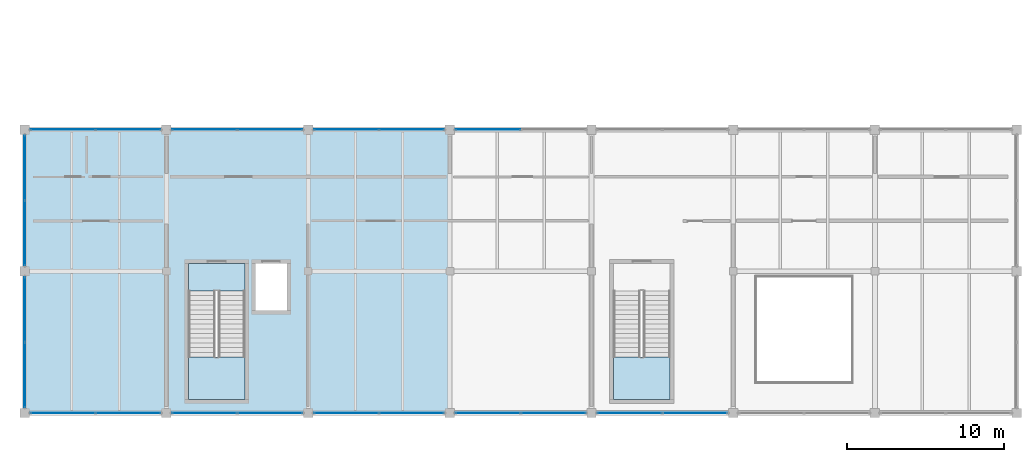
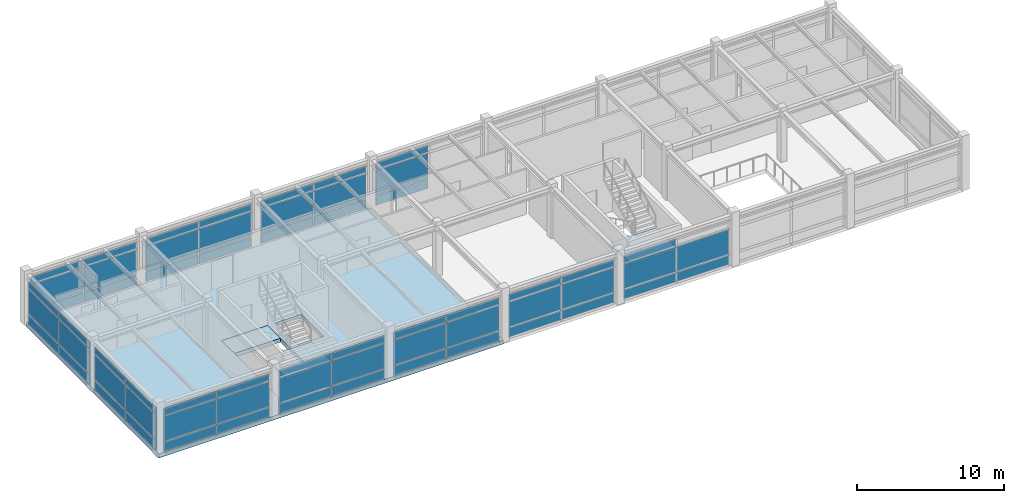
# One storey, part 21 of 33: 62 plates, 4 slabs, 13 elements without a shape of their own.
"""IFC4 building model written with IfcOpenShell, lengths in metres."""

from ifc_helpers import new_model, si_unit, direction, frame, origin, origin_2d, place, context, subcontext, project, spatial, polyline, rectangle, outline, extrude, material, layer, layer_set, type_object, element, aggregate, save


model = new_model("IFC4")

# Units and contexts
model_context = context("Model", 3, precision=1e-05, world=origin(), true_north=direction((0.0, 1.0)))
body_context = subcontext(model_context, "Body", "Model", "MODEL_VIEW")
ifc_project = project(units=[si_unit("LENGTHUNIT", "METRE"), si_unit("AREAUNIT", "SQUARE_METRE"), si_unit("VOLUMEUNIT", "CUBIC_METRE"), si_unit("PLANEANGLEUNIT", "RADIAN"), si_unit("MASSUNIT", "GRAM", prefix="KILO")], contexts=[model_context])

# Site, building, storey
site_placement = place(None, origin())
site = spatial("IfcSite", under=ifc_project, at=site_placement, CompositionType="ELEMENT")
building_placement = place(site_placement, origin())
building = spatial("IfcBuilding", under=site, at=building_placement, Name="Bozkorgan Art Gallery", CompositionType="ELEMENT")
storey_placement = place(building_placement, frame((0.0, 0.0, 19.5)))
storey = spatial("IfcBuildingStorey", under=building, at=storey_placement, Name="L04", CompositionType="ELEMENT", Elevation=19.5)

# Curtain wall, plates
ifc_material_1 = material(Name="Anodised Bronze Aluminium", Category="aluminium")
curtain_wall_type = type_object("IfcCurtainWallType", Name="CW-CW-71", PredefinedType="NOTDEFINED", material=ifc_material_1)
curtain_wall_1_placement = place(storey_placement, origin())
curtain_wall_1 = element("IfcCurtainWall", 1, at=curtain_wall_1_placement, inside=storey, type_object=curtain_wall_type, Name="L04 unitised curtain wall CW-V1-L04-1S-01", PredefinedType="NOTDEFINED")
ifc_material_2 = material(Name="Triple Low-E Laminated Glass", Category="glass")
ifc_layer_1 = layer(ifc_material_2, 0.0439453125, Name="Triple Low-E Laminated Glass")
ifc_layer_set_1 = layer_set([ifc_layer_1], Name="Triple Low-E Laminated Glass")
plate_type = type_object("IfcPlateType", Name="CWP-GLZ", PredefinedType="CURTAIN_PANEL", material=ifc_layer_set_1)
plate_1_placement = place(storey_placement, frame((4.423828125, 2.0, 0.10009765625), z_axis=(0.0, 0.0, 1.0), x_axis=(1.0, 0.0, 0.0)))
plate_1 = element("IfcPlate", 2, at=plate_1_placement, type_object=plate_type, Name="CW-71 panel 1.1", PredefinedType="CURTAIN_PANEL", context=body_context, shape_type="SweptSolid", body=[
    extrude(rectangle(XDim=4.08740234375, YDim=0.0439453125, at=origin_2d()), origin(), (0.0, 0.0, 1.0), 0.780029296875),
])
plate_2_placement = place(storey_placement, frame((4.423828125, 2.0, 0.9599609375), z_axis=(0.0, 0.0, 1.0), x_axis=(1.0, 0.0, 0.0)))
plate_2 = element("IfcPlate", 3, at=plate_2_placement, type_object=plate_type, Name="CW-71 panel 1.2", PredefinedType="CURTAIN_PANEL", context=body_context, shape_type="SweptSolid", body=[
    extrude(rectangle(XDim=4.08740234375, YDim=0.0439453125, at=origin_2d()), origin(), (0.0, 0.0, 1.0), 2.06494140625),
])
plate_3_placement = place(storey_placement, frame((4.423828125, 2.0, 3.10498046875), z_axis=(0.0, 0.0, 1.0), x_axis=(1.0, 0.0, 0.0)))
plate_3 = element("IfcPlate", 4, at=plate_3_placement, type_object=plate_type, Name="CW-71 panel 1.3", PredefinedType="CURTAIN_PANEL", context=body_context, shape_type="SweptSolid", body=[
    extrude(rectangle(XDim=4.08740234375, YDim=0.0439453125, at=origin_2d()), origin(), (0.0, 0.0, 1.0), 0.530029296875),
])
plate_4_placement = place(storey_placement, frame((8.576171875, 2.0, 0.10009765625), z_axis=(0.0, 0.0, 1.0), x_axis=(1.0, 0.0, 0.0)))
plate_4 = element("IfcPlate", 5, at=plate_4_placement, type_object=plate_type, Name="CW-71 panel 2.1", PredefinedType="CURTAIN_PANEL", context=body_context, shape_type="SweptSolid", body=[
    extrude(rectangle(XDim=4.08740234375, YDim=0.0439453125, at=origin_2d()), origin(), (0.0, 0.0, 1.0), 0.780029296875),
])
plate_5_placement = place(storey_placement, frame((8.576171875, 2.0, 0.9599609375), z_axis=(0.0, 0.0, 1.0), x_axis=(1.0, 0.0, 0.0)))
plate_5 = element("IfcPlate", 6, at=plate_5_placement, type_object=plate_type, Name="CW-71 panel 2.2", PredefinedType="CURTAIN_PANEL", context=body_context, shape_type="SweptSolid", body=[
    extrude(rectangle(XDim=4.08740234375, YDim=0.0439453125, at=origin_2d()), origin(), (0.0, 0.0, 1.0), 2.06494140625),
])
plate_6_placement = place(storey_placement, frame((8.576171875, 2.0, 3.10498046875), z_axis=(0.0, 0.0, 1.0), x_axis=(1.0, 0.0, 0.0)))
plate_6 = element("IfcPlate", 7, at=plate_6_placement, type_object=plate_type, Name="CW-71 panel 2.3", PredefinedType="CURTAIN_PANEL", context=body_context, shape_type="SweptSolid", body=[
    extrude(rectangle(XDim=4.08740234375, YDim=0.0439453125, at=origin_2d()), origin(), (0.0, 0.0, 1.0), 0.530029296875),
])
aggregate(curtain_wall_1, [plate_1, plate_2, plate_3, plate_4, plate_5, plate_6])

curtain_wall_2_placement = place(storey_placement, origin())
curtain_wall_2 = element("IfcCurtainWall", 8, at=curtain_wall_2_placement, inside=storey, type_object=curtain_wall_type, Name="L04 unitised curtain wall CW-V1-L04-1N-02", PredefinedType="NOTDEFINED")
plate_7_placement = place(storey_placement, frame((4.423828125, 20.0, 0.10009765625), z_axis=(0.0, 0.0, 1.0), x_axis=(1.0, 0.0, 0.0)))
plate_7 = element("IfcPlate", 9, at=plate_7_placement, type_object=plate_type, Name="CW-71 panel 1.1", PredefinedType="CURTAIN_PANEL", context=body_context, shape_type="SweptSolid", body=[
    extrude(rectangle(XDim=4.08740234375, YDim=0.0439453125, at=origin_2d()), origin(), (0.0, 0.0, 1.0), 0.780029296875),
])
plate_8_placement = place(storey_placement, frame((4.423828125, 20.0, 0.9599609375), z_axis=(0.0, 0.0, 1.0), x_axis=(1.0, 0.0, 0.0)))
plate_8 = element("IfcPlate", 10, at=plate_8_placement, type_object=plate_type, Name="CW-71 panel 1.2", PredefinedType="CURTAIN_PANEL", context=body_context, shape_type="SweptSolid", body=[
    extrude(rectangle(XDim=4.08740234375, YDim=0.0439453125, at=origin_2d()), origin(), (0.0, 0.0, 1.0), 2.06494140625),
])
plate_9_placement = place(storey_placement, frame((4.423828125, 20.0, 3.10498046875), z_axis=(0.0, 0.0, 1.0), x_axis=(1.0, 0.0, 0.0)))
plate_9 = element("IfcPlate", 11, at=plate_9_placement, type_object=plate_type, Name="CW-71 panel 1.3", PredefinedType="CURTAIN_PANEL", context=body_context, shape_type="SweptSolid", body=[
    extrude(rectangle(XDim=4.08740234375, YDim=0.0439453125, at=origin_2d()), origin(), (0.0, 0.0, 1.0), 0.530029296875),
])
plate_10_placement = place(storey_placement, frame((8.576171875, 20.0, 0.10009765625), z_axis=(0.0, 0.0, 1.0), x_axis=(1.0, 0.0, 0.0)))
plate_10 = element("IfcPlate", 12, at=plate_10_placement, type_object=plate_type, Name="CW-71 panel 2.1", PredefinedType="CURTAIN_PANEL", context=body_context, shape_type="SweptSolid", body=[
    extrude(rectangle(XDim=4.08740234375, YDim=0.0439453125, at=origin_2d()), origin(), (0.0, 0.0, 1.0), 0.780029296875),
])
plate_11_placement = place(storey_placement, frame((8.576171875, 20.0, 0.9599609375), z_axis=(0.0, 0.0, 1.0), x_axis=(1.0, 0.0, 0.0)))
plate_11 = element("IfcPlate", 13, at=plate_11_placement, type_object=plate_type, Name="CW-71 panel 2.2", PredefinedType="CURTAIN_PANEL", context=body_context, shape_type="SweptSolid", body=[
    extrude(rectangle(XDim=4.08740234375, YDim=0.0439453125, at=origin_2d()), origin(), (0.0, 0.0, 1.0), 2.06494140625),
])
plate_12_placement = place(storey_placement, frame((8.576171875, 20.0, 3.10498046875), z_axis=(0.0, 0.0, 1.0), x_axis=(1.0, 0.0, 0.0)))
plate_12 = element("IfcPlate", 14, at=plate_12_placement, type_object=plate_type, Name="CW-71 panel 2.3", PredefinedType="CURTAIN_PANEL", context=body_context, shape_type="SweptSolid", body=[
    extrude(rectangle(XDim=4.08740234375, YDim=0.0439453125, at=origin_2d()), origin(), (0.0, 0.0, 1.0), 0.530029296875),
])
aggregate(curtain_wall_2, [plate_7, plate_8, plate_9, plate_10, plate_11, plate_12])

curtain_wall_3_placement = place(storey_placement, origin())
curtain_wall_3 = element("IfcCurtainWall", 15, at=curtain_wall_3_placement, inside=storey, type_object=curtain_wall_type, Name="L04 unitised curtain wall CW-V1-L04-1S-03", PredefinedType="NOTDEFINED")
plate_13_placement = place(storey_placement, frame((13.423828125, 2.0, 0.10009765625), z_axis=(0.0, 0.0, 1.0), x_axis=(1.0, 0.0, 0.0)))
plate_13 = element("IfcPlate", 16, at=plate_13_placement, type_object=plate_type, Name="CW-71 panel 1.1", PredefinedType="CURTAIN_PANEL", context=body_context, shape_type="SweptSolid", body=[
    extrude(rectangle(XDim=4.08740234375, YDim=0.0439453125, at=origin_2d()), origin(), (0.0, 0.0, 1.0), 0.780029296875),
])
plate_14_placement = place(storey_placement, frame((13.423828125, 2.0, 0.9599609375), z_axis=(0.0, 0.0, 1.0), x_axis=(1.0, 0.0, 0.0)))
plate_14 = element("IfcPlate", 17, at=plate_14_placement, type_object=plate_type, Name="CW-71 panel 1.2", PredefinedType="CURTAIN_PANEL", context=body_context, shape_type="SweptSolid", body=[
    extrude(rectangle(XDim=4.08740234375, YDim=0.0439453125, at=origin_2d()), origin(), (0.0, 0.0, 1.0), 2.06494140625),
])
plate_15_placement = place(storey_placement, frame((13.423828125, 2.0, 3.10498046875), z_axis=(0.0, 0.0, 1.0), x_axis=(1.0, 0.0, 0.0)))
plate_15 = element("IfcPlate", 18, at=plate_15_placement, type_object=plate_type, Name="CW-71 panel 1.3", PredefinedType="CURTAIN_PANEL", context=body_context, shape_type="SweptSolid", body=[
    extrude(rectangle(XDim=4.08740234375, YDim=0.0439453125, at=origin_2d()), origin(), (0.0, 0.0, 1.0), 0.530029296875),
])
plate_16_placement = place(storey_placement, frame((17.576171875, 2.0, 0.10009765625), z_axis=(0.0, 0.0, 1.0), x_axis=(1.0, 0.0, 0.0)))
plate_16 = element("IfcPlate", 19, at=plate_16_placement, type_object=plate_type, Name="CW-71 panel 2.1", PredefinedType="CURTAIN_PANEL", context=body_context, shape_type="SweptSolid", body=[
    extrude(rectangle(XDim=4.08740234375, YDim=0.0439453125, at=origin_2d()), origin(), (0.0, 0.0, 1.0), 0.780029296875),
])
plate_17_placement = place(storey_placement, frame((17.576171875, 2.0, 0.9599609375), z_axis=(0.0, 0.0, 1.0), x_axis=(1.0, 0.0, 0.0)))
plate_17 = element("IfcPlate", 20, at=plate_17_placement, type_object=plate_type, Name="CW-71 panel 2.2", PredefinedType="CURTAIN_PANEL", context=body_context, shape_type="SweptSolid", body=[
    extrude(rectangle(XDim=4.08740234375, YDim=0.0439453125, at=origin_2d()), origin(), (0.0, 0.0, 1.0), 2.06494140625),
])
plate_18_placement = place(storey_placement, frame((17.576171875, 2.0, 3.10498046875), z_axis=(0.0, 0.0, 1.0), x_axis=(1.0, 0.0, 0.0)))
plate_18 = element("IfcPlate", 21, at=plate_18_placement, type_object=plate_type, Name="CW-71 panel 2.3", PredefinedType="CURTAIN_PANEL", context=body_context, shape_type="SweptSolid", body=[
    extrude(rectangle(XDim=4.08740234375, YDim=0.0439453125, at=origin_2d()), origin(), (0.0, 0.0, 1.0), 0.530029296875),
])
aggregate(curtain_wall_3, [plate_13, plate_14, plate_15, plate_16, plate_17, plate_18])

curtain_wall_4_placement = place(storey_placement, origin())
curtain_wall_4 = element("IfcCurtainWall", 22, at=curtain_wall_4_placement, inside=storey, type_object=curtain_wall_type, Name="L04 unitised curtain wall CW-V1-L04-1N-04", PredefinedType="NOTDEFINED")
plate_19_placement = place(storey_placement, frame((13.423828125, 20.0, 0.10009765625), z_axis=(0.0, 0.0, 1.0), x_axis=(1.0, 0.0, 0.0)))
plate_19 = element("IfcPlate", 23, at=plate_19_placement, type_object=plate_type, Name="CW-71 panel 1.1", PredefinedType="CURTAIN_PANEL", context=body_context, shape_type="SweptSolid", body=[
    extrude(rectangle(XDim=4.08740234375, YDim=0.0439453125, at=origin_2d()), origin(), (0.0, 0.0, 1.0), 0.780029296875),
])
plate_20_placement = place(storey_placement, frame((13.423828125, 20.0, 0.9599609375), z_axis=(0.0, 0.0, 1.0), x_axis=(1.0, 0.0, 0.0)))
plate_20 = element("IfcPlate", 24, at=plate_20_placement, type_object=plate_type, Name="CW-71 panel 1.2", PredefinedType="CURTAIN_PANEL", context=body_context, shape_type="SweptSolid", body=[
    extrude(rectangle(XDim=4.08740234375, YDim=0.0439453125, at=origin_2d()), origin(), (0.0, 0.0, 1.0), 2.06494140625),
])
plate_21_placement = place(storey_placement, frame((13.423828125, 20.0, 3.10498046875), z_axis=(0.0, 0.0, 1.0), x_axis=(1.0, 0.0, 0.0)))
plate_21 = element("IfcPlate", 25, at=plate_21_placement, type_object=plate_type, Name="CW-71 panel 1.3", PredefinedType="CURTAIN_PANEL", context=body_context, shape_type="SweptSolid", body=[
    extrude(rectangle(XDim=4.08740234375, YDim=0.0439453125, at=origin_2d()), origin(), (0.0, 0.0, 1.0), 0.530029296875),
])
plate_22_placement = place(storey_placement, frame((17.576171875, 20.0, 0.10009765625), z_axis=(0.0, 0.0, 1.0), x_axis=(1.0, 0.0, 0.0)))
plate_22 = element("IfcPlate", 26, at=plate_22_placement, type_object=plate_type, Name="CW-71 panel 2.1", PredefinedType="CURTAIN_PANEL", context=body_context, shape_type="SweptSolid", body=[
    extrude(rectangle(XDim=4.08740234375, YDim=0.0439453125, at=origin_2d()), origin(), (0.0, 0.0, 1.0), 0.780029296875),
])
plate_23_placement = place(storey_placement, frame((17.576171875, 20.0, 0.9599609375), z_axis=(0.0, 0.0, 1.0), x_axis=(1.0, 0.0, 0.0)))
plate_23 = element("IfcPlate", 27, at=plate_23_placement, type_object=plate_type, Name="CW-71 panel 2.2", PredefinedType="CURTAIN_PANEL", context=body_context, shape_type="SweptSolid", body=[
    extrude(rectangle(XDim=4.08740234375, YDim=0.0439453125, at=origin_2d()), origin(), (0.0, 0.0, 1.0), 2.06494140625),
])
plate_24_placement = place(storey_placement, frame((17.576171875, 20.0, 3.10498046875), z_axis=(0.0, 0.0, 1.0), x_axis=(1.0, 0.0, 0.0)))
plate_24 = element("IfcPlate", 28, at=plate_24_placement, type_object=plate_type, Name="CW-71 panel 2.3", PredefinedType="CURTAIN_PANEL", context=body_context, shape_type="SweptSolid", body=[
    extrude(rectangle(XDim=4.08740234375, YDim=0.0439453125, at=origin_2d()), origin(), (0.0, 0.0, 1.0), 0.530029296875),
])
aggregate(curtain_wall_4, [plate_19, plate_20, plate_21, plate_22, plate_23, plate_24])

curtain_wall_5_placement = place(storey_placement, origin())
curtain_wall_5 = element("IfcCurtainWall", 29, at=curtain_wall_5_placement, inside=storey, type_object=curtain_wall_type, Name="L04 unitised curtain wall CW-V1-L04-1S-05", PredefinedType="NOTDEFINED")
plate_25_placement = place(storey_placement, frame((22.423828125, 2.0, 0.10009765625), z_axis=(0.0, 0.0, 1.0), x_axis=(1.0, 0.0, 0.0)))
plate_25 = element("IfcPlate", 30, at=plate_25_placement, type_object=plate_type, Name="CW-71 panel 1.1", PredefinedType="CURTAIN_PANEL", context=body_context, shape_type="SweptSolid", body=[
    extrude(rectangle(XDim=4.08740234375, YDim=0.0439453125, at=origin_2d()), origin(), (0.0, 0.0, 1.0), 0.780029296875),
])
plate_26_placement = place(storey_placement, frame((22.423828125, 2.0, 0.9599609375), z_axis=(0.0, 0.0, 1.0), x_axis=(1.0, 0.0, 0.0)))
plate_26 = element("IfcPlate", 31, at=plate_26_placement, type_object=plate_type, Name="CW-71 panel 1.2", PredefinedType="CURTAIN_PANEL", context=body_context, shape_type="SweptSolid", body=[
    extrude(rectangle(XDim=4.08740234375, YDim=0.0439453125, at=origin_2d()), origin(), (0.0, 0.0, 1.0), 2.06494140625),
])
plate_27_placement = place(storey_placement, frame((22.423828125, 2.0, 3.10498046875), z_axis=(0.0, 0.0, 1.0), x_axis=(1.0, 0.0, 0.0)))
plate_27 = element("IfcPlate", 32, at=plate_27_placement, type_object=plate_type, Name="CW-71 panel 1.3", PredefinedType="CURTAIN_PANEL", context=body_context, shape_type="SweptSolid", body=[
    extrude(rectangle(XDim=4.08740234375, YDim=0.0439453125, at=origin_2d()), origin(), (0.0, 0.0, 1.0), 0.530029296875),
])
plate_28_placement = place(storey_placement, frame((26.576171875, 2.0, 0.10009765625), z_axis=(0.0, 0.0, 1.0), x_axis=(1.0, 0.0, 0.0)))
plate_28 = element("IfcPlate", 33, at=plate_28_placement, type_object=plate_type, Name="CW-71 panel 2.1", PredefinedType="CURTAIN_PANEL", context=body_context, shape_type="SweptSolid", body=[
    extrude(rectangle(XDim=4.08740234375, YDim=0.0439453125, at=origin_2d()), origin(), (0.0, 0.0, 1.0), 0.780029296875),
])
plate_29_placement = place(storey_placement, frame((26.576171875, 2.0, 0.9599609375), z_axis=(0.0, 0.0, 1.0), x_axis=(1.0, 0.0, 0.0)))
plate_29 = element("IfcPlate", 34, at=plate_29_placement, type_object=plate_type, Name="CW-71 panel 2.2", PredefinedType="CURTAIN_PANEL", context=body_context, shape_type="SweptSolid", body=[
    extrude(rectangle(XDim=4.08740234375, YDim=0.0439453125, at=origin_2d()), origin(), (0.0, 0.0, 1.0), 2.06494140625),
])
plate_30_placement = place(storey_placement, frame((26.576171875, 2.0, 3.10498046875), z_axis=(0.0, 0.0, 1.0), x_axis=(1.0, 0.0, 0.0)))
plate_30 = element("IfcPlate", 35, at=plate_30_placement, type_object=plate_type, Name="CW-71 panel 2.3", PredefinedType="CURTAIN_PANEL", context=body_context, shape_type="SweptSolid", body=[
    extrude(rectangle(XDim=4.08740234375, YDim=0.0439453125, at=origin_2d()), origin(), (0.0, 0.0, 1.0), 0.530029296875),
])
aggregate(curtain_wall_5, [plate_25, plate_26, plate_27, plate_28, plate_29, plate_30])

curtain_wall_6_placement = place(storey_placement, origin())
curtain_wall_6 = element("IfcCurtainWall", 36, at=curtain_wall_6_placement, inside=storey, type_object=curtain_wall_type, Name="L04 unitised curtain wall CW-V1-L04-1N-06", PredefinedType="NOTDEFINED")
plate_31_placement = place(storey_placement, frame((22.423828125, 20.0, 0.10009765625), z_axis=(0.0, 0.0, 1.0), x_axis=(1.0, 0.0, 0.0)))
plate_31 = element("IfcPlate", 37, at=plate_31_placement, type_object=plate_type, Name="CW-71 panel 1.1", PredefinedType="CURTAIN_PANEL", context=body_context, shape_type="SweptSolid", body=[
    extrude(rectangle(XDim=4.08740234375, YDim=0.0439453125, at=origin_2d()), origin(), (0.0, 0.0, 1.0), 0.780029296875),
])
plate_32_placement = place(storey_placement, frame((22.423828125, 20.0, 0.9599609375), z_axis=(0.0, 0.0, 1.0), x_axis=(1.0, 0.0, 0.0)))
plate_32 = element("IfcPlate", 38, at=plate_32_placement, type_object=plate_type, Name="CW-71 panel 1.2", PredefinedType="CURTAIN_PANEL", context=body_context, shape_type="SweptSolid", body=[
    extrude(rectangle(XDim=4.08740234375, YDim=0.0439453125, at=origin_2d()), origin(), (0.0, 0.0, 1.0), 2.06494140625),
])
plate_33_placement = place(storey_placement, frame((22.423828125, 20.0, 3.10498046875), z_axis=(0.0, 0.0, 1.0), x_axis=(1.0, 0.0, 0.0)))
plate_33 = element("IfcPlate", 39, at=plate_33_placement, type_object=plate_type, Name="CW-71 panel 1.3", PredefinedType="CURTAIN_PANEL", context=body_context, shape_type="SweptSolid", body=[
    extrude(rectangle(XDim=4.08740234375, YDim=0.0439453125, at=origin_2d()), origin(), (0.0, 0.0, 1.0), 0.530029296875),
])
plate_34_placement = place(storey_placement, frame((26.576171875, 20.0, 0.10009765625), z_axis=(0.0, 0.0, 1.0), x_axis=(1.0, 0.0, 0.0)))
plate_34 = element("IfcPlate", 40, at=plate_34_placement, type_object=plate_type, Name="CW-71 panel 2.1", PredefinedType="CURTAIN_PANEL", context=body_context, shape_type="SweptSolid", body=[
    extrude(rectangle(XDim=4.08740234375, YDim=0.0439453125, at=origin_2d()), origin(), (0.0, 0.0, 1.0), 0.780029296875),
])
plate_35_placement = place(storey_placement, frame((26.576171875, 20.0, 0.9599609375), z_axis=(0.0, 0.0, 1.0), x_axis=(1.0, 0.0, 0.0)))
plate_35 = element("IfcPlate", 41, at=plate_35_placement, type_object=plate_type, Name="CW-71 panel 2.2", PredefinedType="CURTAIN_PANEL", context=body_context, shape_type="SweptSolid", body=[
    extrude(rectangle(XDim=4.08740234375, YDim=0.0439453125, at=origin_2d()), origin(), (0.0, 0.0, 1.0), 2.06494140625),
])
plate_36_placement = place(storey_placement, frame((26.576171875, 20.0, 3.10498046875), z_axis=(0.0, 0.0, 1.0), x_axis=(1.0, 0.0, 0.0)))
plate_36 = element("IfcPlate", 42, at=plate_36_placement, type_object=plate_type, Name="CW-71 panel 2.3", PredefinedType="CURTAIN_PANEL", context=body_context, shape_type="SweptSolid", body=[
    extrude(rectangle(XDim=4.08740234375, YDim=0.0439453125, at=origin_2d()), origin(), (0.0, 0.0, 1.0), 0.530029296875),
])
aggregate(curtain_wall_6, [plate_31, plate_32, plate_33, plate_34, plate_35, plate_36])

curtain_wall_7_placement = place(storey_placement, origin())
curtain_wall_7 = element("IfcCurtainWall", 43, at=curtain_wall_7_placement, inside=storey, type_object=curtain_wall_type, Name="L04 unitised curtain wall CW-V1-L04-1S-07", PredefinedType="NOTDEFINED")
plate_37_placement = place(storey_placement, frame((31.423828125, 2.0, 0.10009765625), z_axis=(0.0, 0.0, 1.0), x_axis=(1.0, 0.0, 0.0)))
plate_37 = element("IfcPlate", 44, at=plate_37_placement, type_object=plate_type, Name="CW-71 panel 1.1", PredefinedType="CURTAIN_PANEL", context=body_context, shape_type="SweptSolid", body=[
    extrude(rectangle(XDim=4.08740234375, YDim=0.0439453125, at=origin_2d()), origin(), (0.0, 0.0, 1.0), 0.780029296875),
])
plate_38_placement = place(storey_placement, frame((31.423828125, 2.0, 0.9599609375), z_axis=(0.0, 0.0, 1.0), x_axis=(1.0, 0.0, 0.0)))
plate_38 = element("IfcPlate", 45, at=plate_38_placement, type_object=plate_type, Name="CW-71 panel 1.2", PredefinedType="CURTAIN_PANEL", context=body_context, shape_type="SweptSolid", body=[
    extrude(rectangle(XDim=4.08740234375, YDim=0.0439453125, at=origin_2d()), origin(), (0.0, 0.0, 1.0), 2.06494140625),
])
plate_39_placement = place(storey_placement, frame((31.423828125, 2.0, 3.10498046875), z_axis=(0.0, 0.0, 1.0), x_axis=(1.0, 0.0, 0.0)))
plate_39 = element("IfcPlate", 46, at=plate_39_placement, type_object=plate_type, Name="CW-71 panel 1.3", PredefinedType="CURTAIN_PANEL", context=body_context, shape_type="SweptSolid", body=[
    extrude(rectangle(XDim=4.08740234375, YDim=0.0439453125, at=origin_2d()), origin(), (0.0, 0.0, 1.0), 0.530029296875),
])
plate_40_placement = place(storey_placement, frame((35.576171875, 2.0, 0.10009765625), z_axis=(0.0, 0.0, 1.0), x_axis=(1.0, 0.0, 0.0)))
plate_40 = element("IfcPlate", 47, at=plate_40_placement, type_object=plate_type, Name="CW-71 panel 2.1", PredefinedType="CURTAIN_PANEL", context=body_context, shape_type="SweptSolid", body=[
    extrude(rectangle(XDim=4.08740234375, YDim=0.0439453125, at=origin_2d()), origin(), (0.0, 0.0, 1.0), 0.780029296875),
])
plate_41_placement = place(storey_placement, frame((35.576171875, 2.0, 0.9599609375), z_axis=(0.0, 0.0, 1.0), x_axis=(1.0, 0.0, 0.0)))
plate_41 = element("IfcPlate", 48, at=plate_41_placement, type_object=plate_type, Name="CW-71 panel 2.2", PredefinedType="CURTAIN_PANEL", context=body_context, shape_type="SweptSolid", body=[
    extrude(rectangle(XDim=4.08740234375, YDim=0.0439453125, at=origin_2d()), origin(), (0.0, 0.0, 1.0), 2.06494140625),
])
plate_42_placement = place(storey_placement, frame((35.576171875, 2.0, 3.10498046875), z_axis=(0.0, 0.0, 1.0), x_axis=(1.0, 0.0, 0.0)))
plate_42 = element("IfcPlate", 49, at=plate_42_placement, type_object=plate_type, Name="CW-71 panel 2.3", PredefinedType="CURTAIN_PANEL", context=body_context, shape_type="SweptSolid", body=[
    extrude(rectangle(XDim=4.08740234375, YDim=0.0439453125, at=origin_2d()), origin(), (0.0, 0.0, 1.0), 0.530029296875),
])
aggregate(curtain_wall_7, [plate_37, plate_38, plate_39, plate_40, plate_41, plate_42])

curtain_wall_8_placement = place(storey_placement, origin())
curtain_wall_8 = element("IfcCurtainWall", 50, at=curtain_wall_8_placement, inside=storey, type_object=curtain_wall_type, Name="L04 unitised curtain wall CW-V1-L04-1N-08", PredefinedType="NOTDEFINED")
plate_43_placement = place(storey_placement, frame((31.423828125, 20.0, 0.10009765625), z_axis=(0.0, 0.0, 1.0), x_axis=(1.0, 0.0, 0.0)))
plate_43 = element("IfcPlate", 51, at=plate_43_placement, type_object=plate_type, Name="CW-71 panel 1.1", PredefinedType="CURTAIN_PANEL", context=body_context, shape_type="SweptSolid", body=[
    extrude(rectangle(XDim=4.08740234375, YDim=0.0439453125, at=origin_2d()), origin(), (0.0, 0.0, 1.0), 0.780029296875),
])
plate_44_placement = place(storey_placement, frame((31.423828125, 20.0, 0.9599609375), z_axis=(0.0, 0.0, 1.0), x_axis=(1.0, 0.0, 0.0)))
plate_44 = element("IfcPlate", 52, at=plate_44_placement, type_object=plate_type, Name="CW-71 panel 1.2", PredefinedType="CURTAIN_PANEL", context=body_context, shape_type="SweptSolid", body=[
    extrude(rectangle(XDim=4.08740234375, YDim=0.0439453125, at=origin_2d()), origin(), (0.0, 0.0, 1.0), 2.06494140625),
])
plate_45_placement = place(storey_placement, frame((31.423828125, 20.0, 3.10498046875), z_axis=(0.0, 0.0, 1.0), x_axis=(1.0, 0.0, 0.0)))
plate_45 = element("IfcPlate", 53, at=plate_45_placement, type_object=plate_type, Name="CW-71 panel 1.3", PredefinedType="CURTAIN_PANEL", context=body_context, shape_type="SweptSolid", body=[
    extrude(rectangle(XDim=4.08740234375, YDim=0.0439453125, at=origin_2d()), origin(), (0.0, 0.0, 1.0), 0.530029296875),
])
aggregate(curtain_wall_8, [plate_43, plate_44, plate_45])

curtain_wall_9_placement = place(storey_placement, origin())
curtain_wall_9 = element("IfcCurtainWall", 54, at=curtain_wall_9_placement, inside=storey, type_object=curtain_wall_type, Name="L04 unitised curtain wall CW-V1-L04-1S-09", PredefinedType="NOTDEFINED")
plate_46_placement = place(storey_placement, frame((40.423828125, 2.0, 0.10009765625), z_axis=(0.0, 0.0, 1.0), x_axis=(1.0, 0.0, 0.0)))
plate_46 = element("IfcPlate", 55, at=plate_46_placement, type_object=plate_type, Name="CW-71 panel 1.1", PredefinedType="CURTAIN_PANEL", context=body_context, shape_type="SweptSolid", body=[
    extrude(rectangle(XDim=4.08740234375, YDim=0.0439453125, at=origin_2d()), origin(), (0.0, 0.0, 1.0), 0.780029296875),
])
plate_47_placement = place(storey_placement, frame((40.423828125, 2.0, 0.9599609375), z_axis=(0.0, 0.0, 1.0), x_axis=(1.0, 0.0, 0.0)))
plate_47 = element("IfcPlate", 56, at=plate_47_placement, type_object=plate_type, Name="CW-71 panel 1.2", PredefinedType="CURTAIN_PANEL", context=body_context, shape_type="SweptSolid", body=[
    extrude(rectangle(XDim=4.08740234375, YDim=0.0439453125, at=origin_2d()), origin(), (0.0, 0.0, 1.0), 2.06494140625),
])
plate_48_placement = place(storey_placement, frame((40.423828125, 2.0, 3.10498046875), z_axis=(0.0, 0.0, 1.0), x_axis=(1.0, 0.0, 0.0)))
plate_48 = element("IfcPlate", 57, at=plate_48_placement, type_object=plate_type, Name="CW-71 panel 1.3", PredefinedType="CURTAIN_PANEL", context=body_context, shape_type="SweptSolid", body=[
    extrude(rectangle(XDim=4.08740234375, YDim=0.0439453125, at=origin_2d()), origin(), (0.0, 0.0, 1.0), 0.530029296875),
])
plate_49_placement = place(storey_placement, frame((44.576171875, 2.0, 0.10009765625), z_axis=(0.0, 0.0, 1.0), x_axis=(1.0, 0.0, 0.0)))
plate_49 = element("IfcPlate", 58, at=plate_49_placement, type_object=plate_type, Name="CW-71 panel 2.1", PredefinedType="CURTAIN_PANEL", context=body_context, shape_type="SweptSolid", body=[
    extrude(rectangle(XDim=4.08740234375, YDim=0.0439453125, at=origin_2d()), origin(), (0.0, 0.0, 1.0), 0.780029296875),
])
plate_50_placement = place(storey_placement, frame((44.576171875, 2.0, 0.9599609375), z_axis=(0.0, 0.0, 1.0), x_axis=(1.0, 0.0, 0.0)))
plate_50 = element("IfcPlate", 59, at=plate_50_placement, type_object=plate_type, Name="CW-71 panel 2.2", PredefinedType="CURTAIN_PANEL", context=body_context, shape_type="SweptSolid", body=[
    extrude(rectangle(XDim=4.08740234375, YDim=0.0439453125, at=origin_2d()), origin(), (0.0, 0.0, 1.0), 2.06494140625),
])
aggregate(curtain_wall_9, [plate_46, plate_47, plate_48, plate_49, plate_50])

curtain_wall_10_placement = place(storey_placement, origin())
curtain_wall_10 = element("IfcCurtainWall", 60, at=curtain_wall_10_placement, inside=storey, type_object=curtain_wall_type, Name="L04 unitised curtain wall CW-V1-L04-1W-15", PredefinedType="NOTDEFINED")
plate_51_placement = place(storey_placement, frame((2.0, 4.423828125, 0.10009765625), z_axis=(0.0, 0.0, 1.0), x_axis=(0.0, 1.0, 0.0)))
plate_51 = element("IfcPlate", 61, at=plate_51_placement, type_object=plate_type, Name="CW-71 panel 1.1", PredefinedType="CURTAIN_PANEL", context=body_context, shape_type="SweptSolid", body=[
    extrude(rectangle(XDim=4.08740234375, YDim=0.0439453125, at=origin_2d()), origin(), (0.0, 0.0, 1.0), 0.780029296875),
])
plate_52_placement = place(storey_placement, frame((2.0, 4.423828125, 0.9599609375), z_axis=(0.0, 0.0, 1.0), x_axis=(0.0, 1.0, 0.0)))
plate_52 = element("IfcPlate", 62, at=plate_52_placement, type_object=plate_type, Name="CW-71 panel 1.2", PredefinedType="CURTAIN_PANEL", context=body_context, shape_type="SweptSolid", body=[
    extrude(rectangle(XDim=4.08740234375, YDim=0.0439453125, at=origin_2d()), origin(), (0.0, 0.0, 1.0), 2.06494140625),
])
plate_53_placement = place(storey_placement, frame((2.0, 4.423828125, 3.10498046875), z_axis=(0.0, 0.0, 1.0), x_axis=(0.0, 1.0, 0.0)))
plate_53 = element("IfcPlate", 63, at=plate_53_placement, type_object=plate_type, Name="CW-71 panel 1.3", PredefinedType="CURTAIN_PANEL", context=body_context, shape_type="SweptSolid", body=[
    extrude(rectangle(XDim=4.08740234375, YDim=0.0439453125, at=origin_2d()), origin(), (0.0, 0.0, 1.0), 0.530029296875),
])
plate_54_placement = place(storey_placement, frame((2.0, 8.576171875, 0.10009765625), z_axis=(0.0, 0.0, 1.0), x_axis=(0.0, 1.0, 0.0)))
plate_54 = element("IfcPlate", 64, at=plate_54_placement, type_object=plate_type, Name="CW-71 panel 2.1", PredefinedType="CURTAIN_PANEL", context=body_context, shape_type="SweptSolid", body=[
    extrude(rectangle(XDim=4.08740234375, YDim=0.0439453125, at=origin_2d()), origin(), (0.0, 0.0, 1.0), 0.780029296875),
])
plate_55_placement = place(storey_placement, frame((2.0, 8.576171875, 0.9599609375), z_axis=(0.0, 0.0, 1.0), x_axis=(0.0, 1.0, 0.0)))
plate_55 = element("IfcPlate", 65, at=plate_55_placement, type_object=plate_type, Name="CW-71 panel 2.2", PredefinedType="CURTAIN_PANEL", context=body_context, shape_type="SweptSolid", body=[
    extrude(rectangle(XDim=4.08740234375, YDim=0.0439453125, at=origin_2d()), origin(), (0.0, 0.0, 1.0), 2.06494140625),
])
plate_56_placement = place(storey_placement, frame((2.0, 8.576171875, 3.10498046875), z_axis=(0.0, 0.0, 1.0), x_axis=(0.0, 1.0, 0.0)))
plate_56 = element("IfcPlate", 66, at=plate_56_placement, type_object=plate_type, Name="CW-71 panel 2.3", PredefinedType="CURTAIN_PANEL", context=body_context, shape_type="SweptSolid", body=[
    extrude(rectangle(XDim=4.08740234375, YDim=0.0439453125, at=origin_2d()), origin(), (0.0, 0.0, 1.0), 0.530029296875),
])
aggregate(curtain_wall_10, [plate_51, plate_52, plate_53, plate_54, plate_55, plate_56])

curtain_wall_11_placement = place(storey_placement, origin())
curtain_wall_11 = element("IfcCurtainWall", 67, at=curtain_wall_11_placement, inside=storey, type_object=curtain_wall_type, Name="L04 unitised curtain wall CW-V1-L04-1W-17", PredefinedType="NOTDEFINED")
plate_57_placement = place(storey_placement, frame((2.0, 13.423828125, 0.10009765625), z_axis=(0.0, 0.0, 1.0), x_axis=(0.0, 1.0, 0.0)))
plate_57 = element("IfcPlate", 68, at=plate_57_placement, type_object=plate_type, Name="CW-71 panel 1.1", PredefinedType="CURTAIN_PANEL", context=body_context, shape_type="SweptSolid", body=[
    extrude(rectangle(XDim=4.08740234375, YDim=0.0439453125, at=origin_2d()), origin(), (0.0, 0.0, 1.0), 0.780029296875),
])
plate_58_placement = place(storey_placement, frame((2.0, 13.423828125, 0.9599609375), z_axis=(0.0, 0.0, 1.0), x_axis=(0.0, 1.0, 0.0)))
plate_58 = element("IfcPlate", 69, at=plate_58_placement, type_object=plate_type, Name="CW-71 panel 1.2", PredefinedType="CURTAIN_PANEL", context=body_context, shape_type="SweptSolid", body=[
    extrude(rectangle(XDim=4.08740234375, YDim=0.0439453125, at=origin_2d()), origin(), (0.0, 0.0, 1.0), 2.06494140625),
])
plate_59_placement = place(storey_placement, frame((2.0, 13.423828125, 3.10498046875), z_axis=(0.0, 0.0, 1.0), x_axis=(0.0, 1.0, 0.0)))
plate_59 = element("IfcPlate", 70, at=plate_59_placement, type_object=plate_type, Name="CW-71 panel 1.3", PredefinedType="CURTAIN_PANEL", context=body_context, shape_type="SweptSolid", body=[
    extrude(rectangle(XDim=4.08740234375, YDim=0.0439453125, at=origin_2d()), origin(), (0.0, 0.0, 1.0), 0.530029296875),
])
plate_60_placement = place(storey_placement, frame((2.0, 17.576171875, 0.10009765625), z_axis=(0.0, 0.0, 1.0), x_axis=(0.0, 1.0, 0.0)))
plate_60 = element("IfcPlate", 71, at=plate_60_placement, type_object=plate_type, Name="CW-71 panel 2.1", PredefinedType="CURTAIN_PANEL", context=body_context, shape_type="SweptSolid", body=[
    extrude(rectangle(XDim=4.08740234375, YDim=0.0439453125, at=origin_2d()), origin(), (0.0, 0.0, 1.0), 0.780029296875),
])
plate_61_placement = place(storey_placement, frame((2.0, 17.576171875, 0.9599609375), z_axis=(0.0, 0.0, 1.0), x_axis=(0.0, 1.0, 0.0)))
plate_61 = element("IfcPlate", 72, at=plate_61_placement, type_object=plate_type, Name="CW-71 panel 2.2", PredefinedType="CURTAIN_PANEL", context=body_context, shape_type="SweptSolid", body=[
    extrude(rectangle(XDim=4.08740234375, YDim=0.0439453125, at=origin_2d()), origin(), (0.0, 0.0, 1.0), 2.06494140625),
])
plate_62_placement = place(storey_placement, frame((2.0, 17.576171875, 3.10498046875), z_axis=(0.0, 0.0, 1.0), x_axis=(0.0, 1.0, 0.0)))
plate_62 = element("IfcPlate", 73, at=plate_62_placement, type_object=plate_type, Name="CW-71 panel 2.3", PredefinedType="CURTAIN_PANEL", context=body_context, shape_type="SweptSolid", body=[
    extrude(rectangle(XDim=4.08740234375, YDim=0.0439453125, at=origin_2d()), origin(), (0.0, 0.0, 1.0), 0.530029296875),
])
aggregate(curtain_wall_11, [plate_57, plate_58, plate_59, plate_60, plate_61, plate_62])

# Stair, slab
ifc_material_3 = material(Name="Concrete C35/45", Category="concrete")
stair_type_1 = type_object("IfcStairType", Name="STAIR-CORE1", PredefinedType="HALF_TURN_STAIR", material=ifc_material_3)
stair_1_placement = place(storey_placement, origin())
stair_1 = element("IfcStair", 74, at=stair_1_placement, inside=storey, type_object=stair_type_1, Name="L04 ST1 Core Stair", PredefinedType="HALF_TURN_STAIR")
ifc_layer_2 = layer(ifc_material_3, 0.25, Name="Concrete C35/45")
ifc_layer_set_2 = layer_set([ifc_layer_2], Name="Concrete C35/45")
slab_type_1 = type_object("IfcSlabType", Name="LAND-CORE1", PredefinedType="LANDING", material=ifc_layer_set_2)
slab_1_placement = place(storey_placement, frame((0.0, 0.0, 2.050048828125)))
slab_1 = element("IfcSlab", 75, at=slab_1_placement, type_object=slab_type_1, Name="ST1 landing 1", PredefinedType="LANDING", context=body_context, shape_type="SweptSolid", body=[
    extrude(outline(polyline([(12.39990234375, 5.550048828125), (12.39990234375, 2.85009765625), (16.0, 2.85009765625), (16.0, 5.550048828125), (12.39990234375, 5.550048828125)])), origin(), (0.0, 0.0, 1.0), 0.199951171875),
])
aggregate(stair_1, [slab_1])

# Slab
slab_2_placement = place(storey_placement, frame((0.0, 0.0, -0.320068359375)))
element("IfcSlab", 76, at=slab_2_placement, inside=storey, type_object=slab_type_1, Name="ST1 L04 floor landing", PredefinedType="LANDING", context=body_context, shape_type="SweptSolid", body=[
    extrude(outline(polyline([(12.39990234375, 9.75), (16.0, 9.75), (16.0, 11.5), (12.39990234375, 11.5), (12.39990234375, 9.75)])), origin(), (0.0, 0.0, 1.0), 0.320068359375),
])

# Stair, slab
stair_type_2 = type_object("IfcStairType", Name="STAIR-CORE7", PredefinedType="HALF_TURN_STAIR", material=ifc_material_3)
stair_2_placement = place(storey_placement, origin())
stair_2 = element("IfcStair", 77, at=stair_2_placement, inside=storey, type_object=stair_type_2, Name="L04 ST12 Core Stair", PredefinedType="HALF_TURN_STAIR")
ifc_layer_3 = layer(ifc_material_3, 0.25, Name="Concrete C35/45")
ifc_layer_set_3 = layer_set([ifc_layer_3], Name="Concrete C35/45")
slab_type_2 = type_object("IfcSlabType", Name="LAND-CORE7", PredefinedType="LANDING", material=ifc_layer_set_3)
slab_3_placement = place(storey_placement, frame((0.0, 0.0, 2.050048828125)))
slab_3 = element("IfcSlab", 78, at=slab_3_placement, type_object=slab_type_2, Name="ST12 landing 1", PredefinedType="LANDING", context=body_context, shape_type="SweptSolid", body=[
    extrude(outline(polyline([(39.39990234375, 5.550048828125), (39.39990234375, 2.85009765625), (43.0, 2.85009765625), (43.0, 5.550048828125), (39.39990234375, 5.550048828125)])), origin(), (0.0, 0.0, 1.0), 0.199951171875),
])
aggregate(stair_2, [slab_3])

# Slab
ifc_layer_4 = layer(ifc_material_3, 0.320068359375, Name="Concrete C35/45")
ifc_layer_set_4 = layer_set([ifc_layer_4], Name="Concrete C35/45")
slab_type_3 = type_object("IfcSlabType", Name="SLAB-SL-59", PredefinedType="FLOOR", material=ifc_layer_set_4)
slab_4_placement = place(storey_placement, frame((0.0, 0.0, -0.320068359375)))
element("IfcSlab", 79, at=slab_4_placement, inside=storey, type_object=slab_type_3, Name="V1 L04 floor slab 1.1", PredefinedType="FLOOR", context=body_context, shape_type="SweptSolid", body=[
    extrude(outline(polyline([(2.0, 2.0), (29.0, 2.0), (29.0, 20.0), (2.0, 20.0), (2.0, 2.0)]), holes=[polyline([(12.39990234375, 2.85009765625), (16.0, 2.85009765625), (16.0, 11.5), (12.39990234375, 11.5), (12.39990234375, 2.85009765625)]), polyline([(16.64990234375, 8.5), (18.64990234375, 8.5), (18.64990234375, 11.5), (16.64990234375, 11.5), (16.64990234375, 8.5)])]), origin(), (0.0, 0.0, 1.0), 0.320068359375),
])

save(model, "model.ifc")
